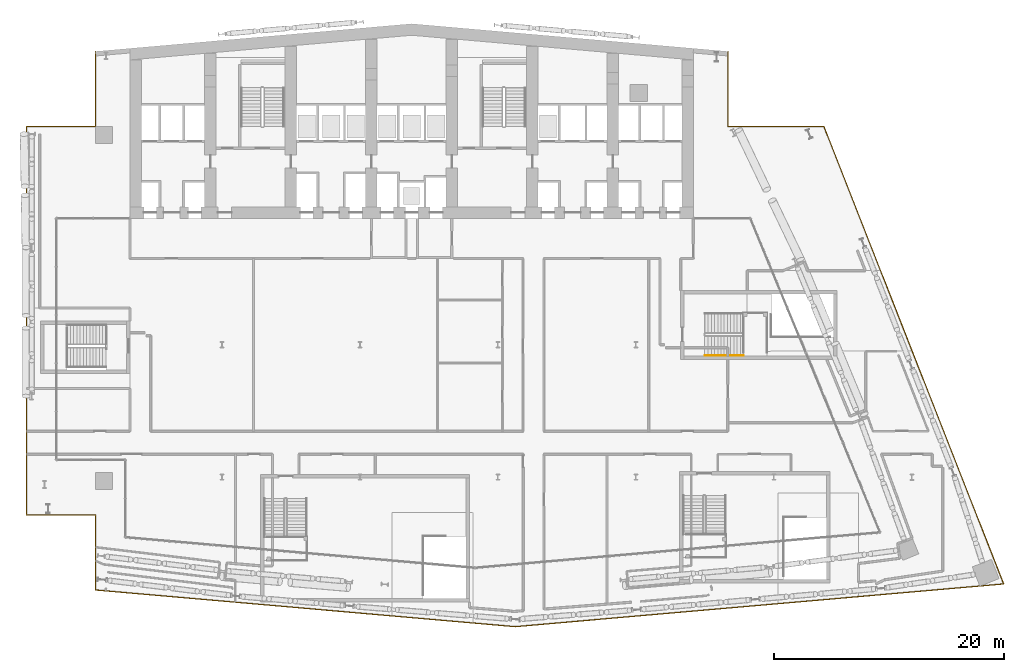
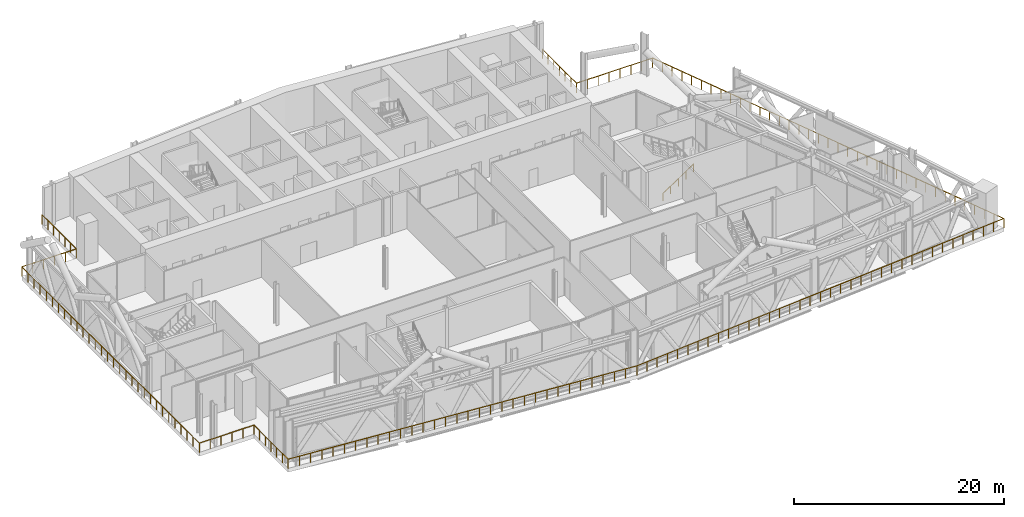
# One storey, part 38 of 42: 2 railings.
"""IFC4 building model written with IfcOpenShell, lengths in metres."""

from ifc_helpers import new_model, si_unit, direction, frame, origin, origin_2d, place, context, subcontext, project, spatial, circle, extrude, material, type_object, element, save


model = new_model("IFC4")

# Units and contexts
model_context = context("Model", 3, precision=1e-05, world=origin(), true_north=direction((0.0, 1.0)))
body_context = subcontext(model_context, "Body", "Model", "MODEL_VIEW")
ifc_project = project(units=[si_unit("LENGTHUNIT", "METRE"), si_unit("AREAUNIT", "SQUARE_METRE"), si_unit("VOLUMEUNIT", "CUBIC_METRE"), si_unit("PLANEANGLEUNIT", "RADIAN"), si_unit("MASSUNIT", "GRAM", prefix="KILO")], contexts=[model_context])

# Site, building, storey
site_placement = place(None, origin())
site = spatial("IfcSite", under=ifc_project, at=site_placement, CompositionType="ELEMENT")
building_placement = place(site_placement, origin())
building = spatial("IfcBuilding", under=site, at=building_placement, Name="Wharfspan Tower", CompositionType="ELEMENT")
storey_placement = place(building_placement, frame((0.0, 0.0, 147.100098)))
storey = spatial("IfcBuildingStorey", under=building, at=storey_placement, Name="L35", CompositionType="ELEMENT", Elevation=147.100098)

# Railings
ifc_material = material(Name="Steel S355J2", Category="steel")
railing_type_1 = type_object("IfcRailingType", Name="GUARD 1100 STEEL AND GLASS", PredefinedType="GUARDRAIL", material=ifc_material)
railing_1_placement = place(storey_placement, frame((13.0, 48.524902, 0.0)))
element("IfcRailing", 1, at=railing_1_placement, inside=storey, type_object=railing_type_1, Name="Band edge guard", PredefinedType="GUARDRAIL", context=body_context, shape_type="SweptSolid", body=[
    extrude(circle(Radius=0.024902, at=origin_2d()), frame((0.0, 0.0, 1.075195), z_axis=(0.0, -1.0, 0.0), x_axis=(1.0, 0.0, 0.0)), (0.0, 0.0, 1.0), 6.524902),
    extrude(circle(Radius=0.024902, at=origin_2d()), frame((0.0, -6.524902, 1.075195), z_axis=(-1.0, 0.0, 0.0), x_axis=(0.0, -1.0, 0.0)), (0.0, 0.0, 1.0), 6.0),
    extrude(circle(Radius=0.024902, at=origin_2d()), frame((-6.0, -6.524902, 1.075195), z_axis=(0.0, -1.0, 0.0), x_axis=(1.0, 0.0, 0.0)), (0.0, 0.0, 1.0), 33.800049),
    extrude(circle(Radius=0.024902, at=origin_2d()), frame((-6.0, -40.324951, 1.075195), z_axis=(1.0, 0.0, 0.0), x_axis=(0.0, 1.0, 0.0)), (0.0, 0.0, 1.0), 6.0),
    extrude(circle(Radius=0.024902, at=origin_2d()), frame((0.0, -40.324951, 1.075195), z_axis=(0.0, -1.0, 0.0), x_axis=(1.0, 0.0, 0.0)), (0.0, 0.0, 1.0), 6.524902),
    extrude(circle(Radius=0.024902, at=origin_2d()), frame((0.0, -46.849854, 1.075195), z_axis=(0.996195, -0.087156, 0.0), x_axis=(0.087156, 0.996195, 0.0)), (0.0, 0.0, 1.0), 36.639404),
    extrude(circle(Radius=0.024902, at=origin_2d()), frame((36.5, -50.043213, 1.075195), z_axis=(0.996195, 0.087156, 0.0), x_axis=(-0.087156, 0.996195, 0.0)), (0.0, 0.0, 1.0), 42.662354),
    extrude(circle(Radius=0.024902, at=origin_2d()), frame((79.0, -46.324951, 1.075195), z_axis=(-0.365776, 0.930703, 0.0), x_axis=(-0.930703, -0.365776, 0.0)), (0.0, 0.0, 1.0), 42.763428),
    extrude(circle(Radius=0.024902, at=origin_2d()), frame((63.358154, -6.524902, 1.075195), z_axis=(-1.0, 0.0, 0.0), x_axis=(0.0, -1.0, 0.0)), (0.0, 0.0, 1.0), 8.358154),
    extrude(circle(Radius=0.024902, at=origin_2d()), frame((55.0, -6.524902, 1.075195), z_axis=(0.0, 1.0, 0.0), x_axis=(-1.0, 0.0, 0.0)), (0.0, 0.0, 1.0), 6.524902),
    extrude(circle(Radius=0.02002, at=origin_2d()), origin(), (0.0, 0.0, 1.0), 1.050049),
    extrude(circle(Radius=0.02002, at=origin_2d()), frame((0.0, -1.087402, 0.0)), (0.0, 0.0, 1.0), 1.050049),
    extrude(circle(Radius=0.02002, at=origin_2d()), frame((0.0, -2.175049, 0.0)), (0.0, 0.0, 1.0), 1.050049),
    extrude(circle(Radius=0.02002, at=origin_2d()), frame((0.0, -3.262451, 0.0)), (0.0, 0.0, 1.0), 1.050049),
    extrude(circle(Radius=0.02002, at=origin_2d()), frame((0.0, -4.349854, 0.0)), (0.0, 0.0, 1.0), 1.050049),
    extrude(circle(Radius=0.02002, at=origin_2d()), frame((0.0, -5.4375, 0.0)), (0.0, 0.0, 1.0), 1.050049),
    extrude(circle(Radius=0.02002, at=origin_2d()), frame((0.0, -6.524902, 0.0)), (0.0, 0.0, 1.0), 1.050049),
    extrude(circle(Radius=0.02002, at=origin_2d()), frame((-1.199951, -6.524902, 0.0)), (0.0, 0.0, 1.0), 1.050049),
    extrude(circle(Radius=0.02002, at=origin_2d()), frame((-2.399902, -6.524902, 0.0)), (0.0, 0.0, 1.0), 1.050049),
    extrude(circle(Radius=0.02002, at=origin_2d()), frame((-3.600098, -6.524902, 0.0)), (0.0, 0.0, 1.0), 1.050049),
    extrude(circle(Radius=0.02002, at=origin_2d()), frame((-4.800049, -6.524902, 0.0)), (0.0, 0.0, 1.0), 1.050049),
    extrude(circle(Radius=0.02002, at=origin_2d()), frame((-6.0, -6.524902, 0.0)), (0.0, 0.0, 1.0), 1.050049),
    extrude(circle(Radius=0.02002, at=origin_2d()), frame((-6.0, -7.69043, 0.0)), (0.0, 0.0, 1.0), 1.050049),
    extrude(circle(Radius=0.02002, at=origin_2d()), frame((-6.0, -8.855957, 0.0)), (0.0, 0.0, 1.0), 1.050049),
    extrude(circle(Radius=0.02002, at=origin_2d()), frame((-6.0, -10.021484, 0.0)), (0.0, 0.0, 1.0), 1.050049),
    extrude(circle(Radius=0.02002, at=origin_2d()), frame((-6.0, -11.187012, 0.0)), (0.0, 0.0, 1.0), 1.050049),
    extrude(circle(Radius=0.02002, at=origin_2d()), frame((-6.0, -12.352539, 0.0)), (0.0, 0.0, 1.0), 1.050049),
    extrude(circle(Radius=0.02002, at=origin_2d()), frame((-6.0, -13.518066, 0.0)), (0.0, 0.0, 1.0), 1.050049),
    extrude(circle(Radius=0.02002, at=origin_2d()), frame((-6.0, -14.683594, 0.0)), (0.0, 0.0, 1.0), 1.050049),
    extrude(circle(Radius=0.02002, at=origin_2d()), frame((-6.0, -15.849121, 0.0)), (0.0, 0.0, 1.0), 1.050049),
    extrude(circle(Radius=0.02002, at=origin_2d()), frame((-6.0, -17.014648, 0.0)), (0.0, 0.0, 1.0), 1.050049),
    extrude(circle(Radius=0.02002, at=origin_2d()), frame((-6.0, -18.180176, 0.0)), (0.0, 0.0, 1.0), 1.050049),
    extrude(circle(Radius=0.02002, at=origin_2d()), frame((-6.0, -19.345703, 0.0)), (0.0, 0.0, 1.0), 1.050049),
    extrude(circle(Radius=0.02002, at=origin_2d()), frame((-6.0, -20.51123, 0.0)), (0.0, 0.0, 1.0), 1.050049),
    extrude(circle(Radius=0.02002, at=origin_2d()), frame((-6.0, -21.676758, 0.0)), (0.0, 0.0, 1.0), 1.050049),
    extrude(circle(Radius=0.02002, at=origin_2d()), frame((-6.0, -22.842285, 0.0)), (0.0, 0.0, 1.0), 1.050049),
    extrude(circle(Radius=0.02002, at=origin_2d()), frame((-6.0, -24.007568, 0.0)), (0.0, 0.0, 1.0), 1.050049),
    extrude(circle(Radius=0.02002, at=origin_2d()), frame((-6.0, -25.173096, 0.0)), (0.0, 0.0, 1.0), 1.050049),
    extrude(circle(Radius=0.02002, at=origin_2d()), frame((-6.0, -26.338623, 0.0)), (0.0, 0.0, 1.0), 1.050049),
    extrude(circle(Radius=0.02002, at=origin_2d()), frame((-6.0, -27.50415, 0.0)), (0.0, 0.0, 1.0), 1.050049),
    extrude(circle(Radius=0.02002, at=origin_2d()), frame((-6.0, -28.669678, 0.0)), (0.0, 0.0, 1.0), 1.050049),
    extrude(circle(Radius=0.02002, at=origin_2d()), frame((-6.0, -29.835205, 0.0)), (0.0, 0.0, 1.0), 1.050049),
    extrude(circle(Radius=0.02002, at=origin_2d()), frame((-6.0, -31.000732, 0.0)), (0.0, 0.0, 1.0), 1.050049),
    extrude(circle(Radius=0.02002, at=origin_2d()), frame((-6.0, -32.16626, 0.0)), (0.0, 0.0, 1.0), 1.050049),
    extrude(circle(Radius=0.02002, at=origin_2d()), frame((-6.0, -33.331787, 0.0)), (0.0, 0.0, 1.0), 1.050049),
    extrude(circle(Radius=0.02002, at=origin_2d()), frame((-6.0, -34.497314, 0.0)), (0.0, 0.0, 1.0), 1.050049),
    extrude(circle(Radius=0.02002, at=origin_2d()), frame((-6.0, -35.662842, 0.0)), (0.0, 0.0, 1.0), 1.050049),
    extrude(circle(Radius=0.02002, at=origin_2d()), frame((-6.0, -36.828369, 0.0)), (0.0, 0.0, 1.0), 1.050049),
    extrude(circle(Radius=0.02002, at=origin_2d()), frame((-6.0, -37.993896, 0.0)), (0.0, 0.0, 1.0), 1.050049),
    extrude(circle(Radius=0.02002, at=origin_2d()), frame((-6.0, -39.159424, 0.0)), (0.0, 0.0, 1.0), 1.050049),
    extrude(circle(Radius=0.02002, at=origin_2d()), frame((-6.0, -40.324951, 0.0)), (0.0, 0.0, 1.0), 1.050049),
    extrude(circle(Radius=0.02002, at=origin_2d()), frame((-4.800049, -40.324951, 0.0)), (0.0, 0.0, 1.0), 1.050049),
    extrude(circle(Radius=0.02002, at=origin_2d()), frame((-3.600098, -40.324951, 0.0)), (0.0, 0.0, 1.0), 1.050049),
    extrude(circle(Radius=0.02002, at=origin_2d()), frame((-2.399902, -40.324951, 0.0)), (0.0, 0.0, 1.0), 1.050049),
    extrude(circle(Radius=0.02002, at=origin_2d()), frame((-1.199951, -40.324951, 0.0)), (0.0, 0.0, 1.0), 1.050049),
    extrude(circle(Radius=0.02002, at=origin_2d()), frame((0.0, -40.324951, 0.0)), (0.0, 0.0, 1.0), 1.050049),
    extrude(circle(Radius=0.02002, at=origin_2d()), frame((0.0, -41.412354, 0.0)), (0.0, 0.0, 1.0), 1.050049),
    extrude(circle(Radius=0.02002, at=origin_2d()), frame((0.0, -42.5, 0.0)), (0.0, 0.0, 1.0), 1.050049),
    extrude(circle(Radius=0.02002, at=origin_2d()), frame((0.0, -43.587402, 0.0)), (0.0, 0.0, 1.0), 1.050049),
    extrude(circle(Radius=0.02002, at=origin_2d()), frame((0.0, -44.674805, 0.0)), (0.0, 0.0, 1.0), 1.050049),
    extrude(circle(Radius=0.02002, at=origin_2d()), frame((0.0, -45.762451, 0.0)), (0.0, 0.0, 1.0), 1.050049),
    extrude(circle(Radius=0.02002, at=origin_2d()), frame((0.0, -46.849854, 0.0)), (0.0, 0.0, 1.0), 1.050049),
    extrude(circle(Radius=0.02002, at=origin_2d()), frame((1.17749, -46.952881, 0.0)), (0.0, 0.0, 1.0), 1.050049),
    extrude(circle(Radius=0.02002, at=origin_2d()), frame((2.354736, -47.055908, 0.0)), (0.0, 0.0, 1.0), 1.050049),
    extrude(circle(Radius=0.02002, at=origin_2d()), frame((3.532227, -47.158936, 0.0)), (0.0, 0.0, 1.0), 1.050049),
    extrude(circle(Radius=0.02002, at=origin_2d()), frame((4.709717, -47.261963, 0.0)), (0.0, 0.0, 1.0), 1.050049),
    extrude(circle(Radius=0.02002, at=origin_2d()), frame((5.887207, -47.36499, 0.0)), (0.0, 0.0, 1.0), 1.050049),
    extrude(circle(Radius=0.02002, at=origin_2d()), frame((7.064453, -47.468018, 0.0)), (0.0, 0.0, 1.0), 1.050049),
    extrude(circle(Radius=0.02002, at=origin_2d()), frame((8.241943, -47.571045, 0.0)), (0.0, 0.0, 1.0), 1.050049),
    extrude(circle(Radius=0.02002, at=origin_2d()), frame((9.419434, -47.673828, 0.0)), (0.0, 0.0, 1.0), 1.050049),
    extrude(circle(Radius=0.02002, at=origin_2d()), frame((10.59668, -47.776855, 0.0)), (0.0, 0.0, 1.0), 1.050049),
    extrude(circle(Radius=0.02002, at=origin_2d()), frame((11.77417, -47.879883, 0.0)), (0.0, 0.0, 1.0), 1.050049),
    extrude(circle(Radius=0.02002, at=origin_2d()), frame((12.95166, -47.98291, 0.0)), (0.0, 0.0, 1.0), 1.050049),
    extrude(circle(Radius=0.02002, at=origin_2d()), frame((14.12915, -48.085938, 0.0)), (0.0, 0.0, 1.0), 1.050049),
    extrude(circle(Radius=0.02002, at=origin_2d()), frame((15.306396, -48.188965, 0.0)), (0.0, 0.0, 1.0), 1.050049),
    extrude(circle(Radius=0.02002, at=origin_2d()), frame((16.483887, -48.291992, 0.0)), (0.0, 0.0, 1.0), 1.050049),
    extrude(circle(Radius=0.02002, at=origin_2d()), frame((17.661377, -48.39502, 0.0)), (0.0, 0.0, 1.0), 1.050049),
    extrude(circle(Radius=0.02002, at=origin_2d()), frame((18.838623, -48.498047, 0.0)), (0.0, 0.0, 1.0), 1.050049),
    extrude(circle(Radius=0.02002, at=origin_2d()), frame((20.016113, -48.601074, 0.0)), (0.0, 0.0, 1.0), 1.050049),
    extrude(circle(Radius=0.02002, at=origin_2d()), frame((21.193604, -48.704102, 0.0)), (0.0, 0.0, 1.0), 1.050049),
    extrude(circle(Radius=0.02002, at=origin_2d()), frame((22.37085, -48.807129, 0.0)), (0.0, 0.0, 1.0), 1.050049),
    extrude(circle(Radius=0.02002, at=origin_2d()), frame((23.54834, -48.910156, 0.0)), (0.0, 0.0, 1.0), 1.050049),
    extrude(circle(Radius=0.02002, at=origin_2d()), frame((24.72583, -49.013184, 0.0)), (0.0, 0.0, 1.0), 1.050049),
    extrude(circle(Radius=0.02002, at=origin_2d()), frame((25.90332, -49.116211, 0.0)), (0.0, 0.0, 1.0), 1.050049),
    extrude(circle(Radius=0.02002, at=origin_2d()), frame((27.080566, -49.219238, 0.0)), (0.0, 0.0, 1.0), 1.050049),
    extrude(circle(Radius=0.02002, at=origin_2d()), frame((28.258057, -49.322021, 0.0)), (0.0, 0.0, 1.0), 1.050049),
    extrude(circle(Radius=0.02002, at=origin_2d()), frame((29.435547, -49.425049, 0.0)), (0.0, 0.0, 1.0), 1.050049),
    extrude(circle(Radius=0.02002, at=origin_2d()), frame((30.612793, -49.528076, 0.0)), (0.0, 0.0, 1.0), 1.050049),
    extrude(circle(Radius=0.02002, at=origin_2d()), frame((31.790283, -49.631104, 0.0)), (0.0, 0.0, 1.0), 1.050049),
    extrude(circle(Radius=0.02002, at=origin_2d()), frame((32.967773, -49.734131, 0.0)), (0.0, 0.0, 1.0), 1.050049),
    extrude(circle(Radius=0.02002, at=origin_2d()), frame((34.145264, -49.837158, 0.0)), (0.0, 0.0, 1.0), 1.050049),
    extrude(circle(Radius=0.02002, at=origin_2d()), frame((35.32251, -49.940186, 0.0)), (0.0, 0.0, 1.0), 1.050049),
    extrude(circle(Radius=0.02002, at=origin_2d()), frame((36.5, -50.043213, 0.0)), (0.0, 0.0, 1.0), 1.050049),
    extrude(circle(Radius=0.02002, at=origin_2d()), frame((37.680664, -49.939941, 0.0)), (0.0, 0.0, 1.0), 1.050049),
    extrude(circle(Radius=0.02002, at=origin_2d()), frame((38.861084, -49.83667, 0.0)), (0.0, 0.0, 1.0), 1.050049),
    extrude(circle(Radius=0.02002, at=origin_2d()), frame((40.041748, -49.733398, 0.0)), (0.0, 0.0, 1.0), 1.050049),
    extrude(circle(Radius=0.02002, at=origin_2d()), frame((41.222168, -49.630127, 0.0)), (0.0, 0.0, 1.0), 1.050049),
    extrude(circle(Radius=0.02002, at=origin_2d()), frame((42.402832, -49.526855, 0.0)), (0.0, 0.0, 1.0), 1.050049),
    extrude(circle(Radius=0.02002, at=origin_2d()), frame((43.583252, -49.423584, 0.0)), (0.0, 0.0, 1.0), 1.050049),
    extrude(circle(Radius=0.02002, at=origin_2d()), frame((44.763916, -49.320312, 0.0)), (0.0, 0.0, 1.0), 1.050049),
    extrude(circle(Radius=0.02002, at=origin_2d()), frame((45.944336, -49.217041, 0.0)), (0.0, 0.0, 1.0), 1.050049),
    extrude(circle(Radius=0.02002, at=origin_2d()), frame((47.125, -49.11377, 0.0)), (0.0, 0.0, 1.0), 1.050049),
    extrude(circle(Radius=0.02002, at=origin_2d()), frame((48.305664, -49.010254, 0.0)), (0.0, 0.0, 1.0), 1.050049),
    extrude(circle(Radius=0.02002, at=origin_2d()), frame((49.486084, -48.906982, 0.0)), (0.0, 0.0, 1.0), 1.050049),
    extrude(circle(Radius=0.02002, at=origin_2d()), frame((50.666748, -48.803711, 0.0)), (0.0, 0.0, 1.0), 1.050049),
    extrude(circle(Radius=0.02002, at=origin_2d()), frame((51.847168, -48.700439, 0.0)), (0.0, 0.0, 1.0), 1.050049),
    extrude(circle(Radius=0.02002, at=origin_2d()), frame((53.027832, -48.597168, 0.0)), (0.0, 0.0, 1.0), 1.050049),
    extrude(circle(Radius=0.02002, at=origin_2d()), frame((54.208252, -48.493896, 0.0)), (0.0, 0.0, 1.0), 1.050049),
    extrude(circle(Radius=0.02002, at=origin_2d()), frame((55.388916, -48.390625, 0.0)), (0.0, 0.0, 1.0), 1.050049),
    extrude(circle(Radius=0.02002, at=origin_2d()), frame((56.569336, -48.287354, 0.0)), (0.0, 0.0, 1.0), 1.050049),
    extrude(circle(Radius=0.02002, at=origin_2d()), frame((57.75, -48.184082, 0.0)), (0.0, 0.0, 1.0), 1.050049),
    extrude(circle(Radius=0.02002, at=origin_2d()), frame((58.930664, -48.080811, 0.0)), (0.0, 0.0, 1.0), 1.050049),
    extrude(circle(Radius=0.02002, at=origin_2d()), frame((60.111084, -47.977539, 0.0)), (0.0, 0.0, 1.0), 1.050049),
    extrude(circle(Radius=0.02002, at=origin_2d()), frame((61.291748, -47.874268, 0.0)), (0.0, 0.0, 1.0), 1.050049),
    extrude(circle(Radius=0.02002, at=origin_2d()), frame((62.472168, -47.770996, 0.0)), (0.0, 0.0, 1.0), 1.050049),
    extrude(circle(Radius=0.02002, at=origin_2d()), frame((63.652832, -47.667725, 0.0)), (0.0, 0.0, 1.0), 1.050049),
    extrude(circle(Radius=0.02002, at=origin_2d()), frame((64.833252, -47.564453, 0.0)), (0.0, 0.0, 1.0), 1.050049),
    extrude(circle(Radius=0.02002, at=origin_2d()), frame((66.013916, -47.461182, 0.0)), (0.0, 0.0, 1.0), 1.050049),
    extrude(circle(Radius=0.02002, at=origin_2d()), frame((67.194336, -47.35791, 0.0)), (0.0, 0.0, 1.0), 1.050049),
    extrude(circle(Radius=0.02002, at=origin_2d()), frame((68.375, -47.254395, 0.0)), (0.0, 0.0, 1.0), 1.050049),
    extrude(circle(Radius=0.02002, at=origin_2d()), frame((69.555664, -47.151123, 0.0)), (0.0, 0.0, 1.0), 1.050049),
    extrude(circle(Radius=0.02002, at=origin_2d()), frame((70.736084, -47.047852, 0.0)), (0.0, 0.0, 1.0), 1.050049),
    extrude(circle(Radius=0.02002, at=origin_2d()), frame((71.916748, -46.94458, 0.0)), (0.0, 0.0, 1.0), 1.050049),
    extrude(circle(Radius=0.02002, at=origin_2d()), frame((73.097168, -46.841309, 0.0)), (0.0, 0.0, 1.0), 1.050049),
    extrude(circle(Radius=0.02002, at=origin_2d()), frame((74.277832, -46.738037, 0.0)), (0.0, 0.0, 1.0), 1.050049),
    extrude(circle(Radius=0.02002, at=origin_2d()), frame((75.458252, -46.634766, 0.0)), (0.0, 0.0, 1.0), 1.050049),
    extrude(circle(Radius=0.02002, at=origin_2d()), frame((76.638916, -46.531494, 0.0)), (0.0, 0.0, 1.0), 1.050049),
    extrude(circle(Radius=0.02002, at=origin_2d()), frame((77.819336, -46.428223, 0.0)), (0.0, 0.0, 1.0), 1.050049),
    extrude(circle(Radius=0.02002, at=origin_2d()), frame((79.0, -46.324951, 0.0)), (0.0, 0.0, 1.0), 1.050049),
    extrude(circle(Radius=0.02002, at=origin_2d()), frame((78.56543, -45.219482, 0.0)), (0.0, 0.0, 1.0), 1.050049),
    extrude(circle(Radius=0.02002, at=origin_2d()), frame((78.131104, -44.11377, 0.0)), (0.0, 0.0, 1.0), 1.050049),
    extrude(circle(Radius=0.02002, at=origin_2d()), frame((77.696533, -43.008301, 0.0)), (0.0, 0.0, 1.0), 1.050049),
    extrude(circle(Radius=0.02002, at=origin_2d()), frame((77.261963, -41.902832, 0.0)), (0.0, 0.0, 1.0), 1.050049),
    extrude(circle(Radius=0.02002, at=origin_2d()), frame((76.827637, -40.797119, 0.0)), (0.0, 0.0, 1.0), 1.050049),
    extrude(circle(Radius=0.02002, at=origin_2d()), frame((76.393066, -39.69165, 0.0)), (0.0, 0.0, 1.0), 1.050049),
    extrude(circle(Radius=0.02002, at=origin_2d()), frame((75.958496, -38.585938, 0.0)), (0.0, 0.0, 1.0), 1.050049),
    extrude(circle(Radius=0.02002, at=origin_2d()), frame((75.523926, -37.480469, 0.0)), (0.0, 0.0, 1.0), 1.050049),
    extrude(circle(Radius=0.02002, at=origin_2d()), frame((75.0896, -36.375, 0.0)), (0.0, 0.0, 1.0), 1.050049),
    extrude(circle(Radius=0.02002, at=origin_2d()), frame((74.655029, -35.269287, 0.0)), (0.0, 0.0, 1.0), 1.050049),
    extrude(circle(Radius=0.02002, at=origin_2d()), frame((74.220459, -34.163818, 0.0)), (0.0, 0.0, 1.0), 1.050049),
    extrude(circle(Radius=0.02002, at=origin_2d()), frame((73.786133, -33.05835, 0.0)), (0.0, 0.0, 1.0), 1.050049),
    extrude(circle(Radius=0.02002, at=origin_2d()), frame((73.351562, -31.952637, 0.0)), (0.0, 0.0, 1.0), 1.050049),
    extrude(circle(Radius=0.02002, at=origin_2d()), frame((72.916992, -30.847168, 0.0)), (0.0, 0.0, 1.0), 1.050049),
    extrude(circle(Radius=0.02002, at=origin_2d()), frame((72.482666, -29.741699, 0.0)), (0.0, 0.0, 1.0), 1.050049),
    extrude(circle(Radius=0.02002, at=origin_2d()), frame((72.048096, -28.635986, 0.0)), (0.0, 0.0, 1.0), 1.050049),
    extrude(circle(Radius=0.02002, at=origin_2d()), frame((71.613525, -27.530518, 0.0)), (0.0, 0.0, 1.0), 1.050049),
    extrude(circle(Radius=0.02002, at=origin_2d()), frame((71.179199, -26.424805, 0.0)), (0.0, 0.0, 1.0), 1.050049),
    extrude(circle(Radius=0.02002, at=origin_2d()), frame((70.744629, -25.319336, 0.0)), (0.0, 0.0, 1.0), 1.050049),
    extrude(circle(Radius=0.02002, at=origin_2d()), frame((70.310059, -24.213867, 0.0)), (0.0, 0.0, 1.0), 1.050049),
    extrude(circle(Radius=0.02002, at=origin_2d()), frame((69.875488, -23.108154, 0.0)), (0.0, 0.0, 1.0), 1.050049),
    extrude(circle(Radius=0.02002, at=origin_2d()), frame((69.441162, -22.002686, 0.0)), (0.0, 0.0, 1.0), 1.050049),
    extrude(circle(Radius=0.02002, at=origin_2d()), frame((69.006592, -20.897217, 0.0)), (0.0, 0.0, 1.0), 1.050049),
    extrude(circle(Radius=0.02002, at=origin_2d()), frame((68.572021, -19.791504, 0.0)), (0.0, 0.0, 1.0), 1.050049),
    extrude(circle(Radius=0.02002, at=origin_2d()), frame((68.137695, -18.686035, 0.0)), (0.0, 0.0, 1.0), 1.050049),
    extrude(circle(Radius=0.02002, at=origin_2d()), frame((67.703125, -17.580566, 0.0)), (0.0, 0.0, 1.0), 1.050049),
    extrude(circle(Radius=0.02002, at=origin_2d()), frame((67.268555, -16.474854, 0.0)), (0.0, 0.0, 1.0), 1.050049),
    extrude(circle(Radius=0.02002, at=origin_2d()), frame((66.834229, -15.369385, 0.0)), (0.0, 0.0, 1.0), 1.050049),
    extrude(circle(Radius=0.02002, at=origin_2d()), frame((66.399658, -14.263916, 0.0)), (0.0, 0.0, 1.0), 1.050049),
    extrude(circle(Radius=0.02002, at=origin_2d()), frame((65.965088, -13.158203, 0.0)), (0.0, 0.0, 1.0), 1.050049),
    extrude(circle(Radius=0.02002, at=origin_2d()), frame((65.530518, -12.052734, 0.0)), (0.0, 0.0, 1.0), 1.050049),
    extrude(circle(Radius=0.02002, at=origin_2d()), frame((65.096191, -10.947021, 0.0)), (0.0, 0.0, 1.0), 1.050049),
    extrude(circle(Radius=0.02002, at=origin_2d()), frame((64.661621, -9.841553, 0.0)), (0.0, 0.0, 1.0), 1.050049),
    extrude(circle(Radius=0.02002, at=origin_2d()), frame((64.227051, -8.736084, 0.0)), (0.0, 0.0, 1.0), 1.050049),
    extrude(circle(Radius=0.02002, at=origin_2d()), frame((63.792725, -7.630371, 0.0)), (0.0, 0.0, 1.0), 1.050049),
    extrude(circle(Radius=0.02002, at=origin_2d()), frame((63.358154, -6.524902, 0.0)), (0.0, 0.0, 1.0), 1.050049),
    extrude(circle(Radius=0.02002, at=origin_2d()), frame((62.164062, -6.524902, 0.0)), (0.0, 0.0, 1.0), 1.050049),
    extrude(circle(Radius=0.02002, at=origin_2d()), frame((60.970215, -6.524902, 0.0)), (0.0, 0.0, 1.0), 1.050049),
    extrude(circle(Radius=0.02002, at=origin_2d()), frame((59.776123, -6.524902, 0.0)), (0.0, 0.0, 1.0), 1.050049),
    extrude(circle(Radius=0.02002, at=origin_2d()), frame((58.582031, -6.524902, 0.0)), (0.0, 0.0, 1.0), 1.050049),
    extrude(circle(Radius=0.02002, at=origin_2d()), frame((57.387939, -6.524902, 0.0)), (0.0, 0.0, 1.0), 1.050049),
    extrude(circle(Radius=0.02002, at=origin_2d()), frame((56.194092, -6.524902, 0.0)), (0.0, 0.0, 1.0), 1.050049),
    extrude(circle(Radius=0.02002, at=origin_2d()), frame((55.0, -6.524902, 0.0)), (0.0, 0.0, 1.0), 1.050049),
    extrude(circle(Radius=0.02002, at=origin_2d()), frame((55.0, -5.4375, 0.0)), (0.0, 0.0, 1.0), 1.050049),
    extrude(circle(Radius=0.02002, at=origin_2d()), frame((55.0, -4.349854, 0.0)), (0.0, 0.0, 1.0), 1.050049),
    extrude(circle(Radius=0.02002, at=origin_2d()), frame((55.0, -3.262451, 0.0)), (0.0, 0.0, 1.0), 1.050049),
    extrude(circle(Radius=0.02002, at=origin_2d()), frame((55.0, -2.175049, 0.0)), (0.0, 0.0, 1.0), 1.050049),
    extrude(circle(Radius=0.02002, at=origin_2d()), frame((55.0, -1.087402, 0.0)), (0.0, 0.0, 1.0), 1.050049),
    extrude(circle(Radius=0.02002, at=origin_2d()), frame((55.0, 0.0, 0.0)), (0.0, 0.0, 1.0), 1.050049),
])
railing_type_2 = type_object("IfcRailingType", Name="Stair handrail 900", PredefinedType="HANDRAIL", material=ifc_material)
railing_2_placement = place(storey_placement, frame((66.004639, 22.074951, 0.18457)))
element("IfcRailing", 2, at=railing_2_placement, inside=storey, type_object=railing_type_2, Name="L35 ST6 stair handrail 1", PredefinedType="HANDRAIL", context=body_context, shape_type="SweptSolid", body=[
    extrude(circle(Radius=0.023926, at=origin_2d()), frame((0.0, 0.0, 0.875977), z_axis=(0.834858, 0.0, 0.550465), x_axis=(0.0, 1.0, 0.0)), (0.0, 0.0, 1.0), 4.024414),
    extrude(circle(Radius=0.020996, at=origin_2d()), origin(), (0.0, 0.0, 1.0), 0.851807),
    extrude(circle(Radius=0.020996, at=origin_2d()), frame((0.839844, 0.0, 0.553711)), (0.0, 0.0, 1.0), 0.851807),
    extrude(circle(Radius=0.020996, at=origin_2d()), frame((1.679932, 0.0, 1.107666)), (0.0, 0.0, 1.0), 0.851807),
    extrude(circle(Radius=0.020996, at=origin_2d()), frame((2.52002, 0.0, 1.661621)), (0.0, 0.0, 1.0), 0.851807),
    extrude(circle(Radius=0.020996, at=origin_2d()), frame((3.359863, 0.0, 2.215332)), (0.0, 0.0, 1.0), 0.851807),
])

save(model, "model.ifc")
